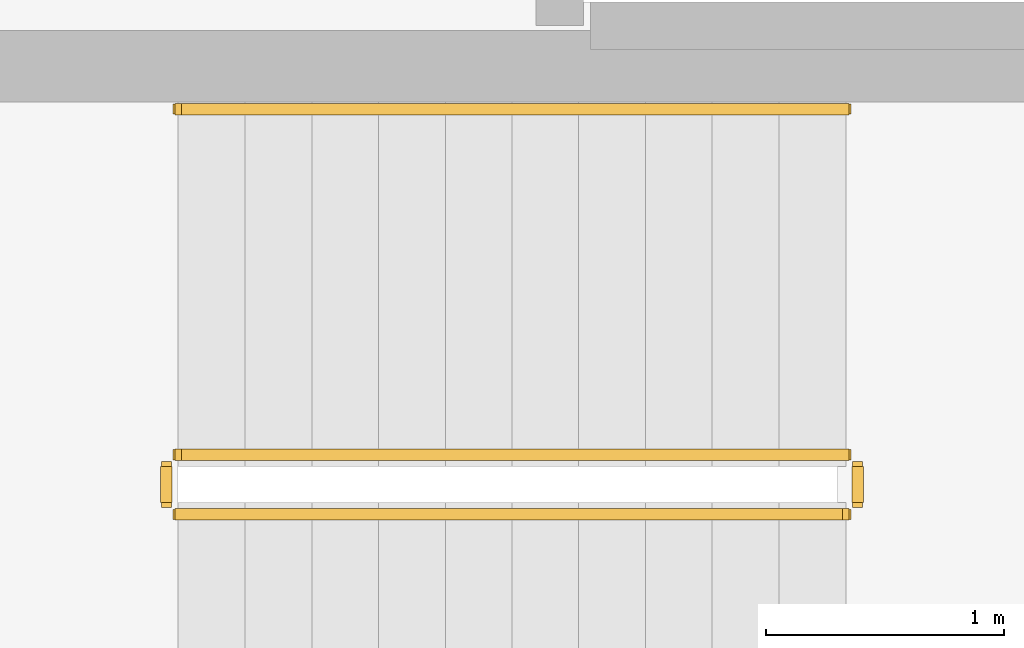
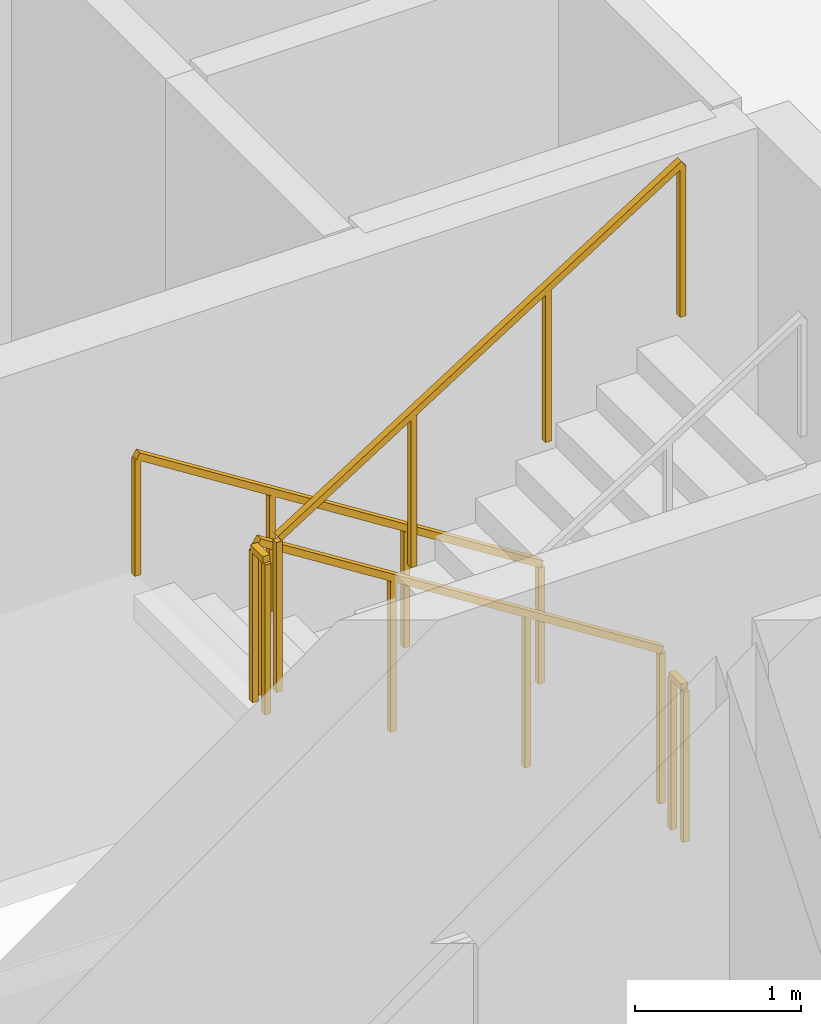
# One storey, part 9 of 11: 5 railings.
"""IFC4 building model written with IfcOpenShell, lengths in metres."""

from ifc_helpers import new_model, si_unit, direction, frame, origin, origin_2d, place, context, subcontext, project, spatial, rectangle, extrude, material, type_object, element, save


model = new_model("IFC4")

# Units and contexts
model_context = context("Model", 3, precision=1e-05, world=origin(), true_north=direction((0.0, 1.0)))
body_context = subcontext(model_context, "Body", "Model", "MODEL_VIEW")
ifc_project = project(units=[si_unit("LENGTHUNIT", "METRE"), si_unit("AREAUNIT", "SQUARE_METRE"), si_unit("VOLUMEUNIT", "CUBIC_METRE"), si_unit("PLANEANGLEUNIT", "RADIAN"), si_unit("MASSUNIT", "GRAM", prefix="KILO")], contexts=[model_context])

# Site, building, storey
site_placement = place(None, origin())
site = spatial("IfcSite", under=ifc_project, at=site_placement, CompositionType="ELEMENT")
building_placement = place(site_placement, origin())
building = spatial("IfcBuilding", under=site, at=building_placement, Name="Mawjaban Terraces University", CompositionType="ELEMENT")
storey_placement = place(building_placement, frame((0.0, 0.0, 103.39990234375)))
storey = spatial("IfcBuildingStorey", under=building, at=storey_placement, Name="L24", CompositionType="ELEMENT", Elevation=103.39990234375)

# Railings
ifc_material_1 = material(Name="Brushed stainless steel 316", Category="steel")
railing_type_1 = type_object("IfcRailingType", Name="StairWallHandrail_900", PredefinedType="HANDRAIL", material=ifc_material_1)
railing_1_placement = place(storey_placement, frame((30.050048828125, 18.800048828125, 0.177490234375)))
element("IfcRailing", 1, at=railing_1_placement, inside=storey, type_object=railing_type_1, Name="L24 ST-2 stair handrail 1", PredefinedType="HANDRAIL", context=body_context, shape_type="SweptSolid", body=[
    extrude(rectangle(XDim=0.048095703125, YDim=0.048095703125, at=origin_2d()), frame((0.0, 0.0, 0.8759765625), z_axis=(-0.844908973607, 0.0, 0.534910110503), x_axis=(0.0, -1.0, 0.0)), (0.0, 0.0, 1.0), 3.31396484375),
    extrude(rectangle(XDim=0.0419921875, YDim=0.0419921875, at=origin_2d()), origin(), (0.0, 0.0, 1.0), 0.851806640625),
    extrude(rectangle(XDim=0.0419921875, YDim=0.0419921875, at=origin_2d()), frame((-0.933349609375, 0.0, 0.5908203125)), (0.0, 0.0, 1.0), 0.851806640625),
    extrude(rectangle(XDim=0.0419921875, YDim=0.0419921875, at=origin_2d()), frame((-1.86669921875, 0.0, 1.181884765625)), (0.0, 0.0, 1.0), 0.851806640625),
    extrude(rectangle(XDim=0.0419921875, YDim=0.0419921875, at=origin_2d()), frame((-2.800048828125, 0.0, 1.772705078125)), (0.0, 0.0, 1.0), 0.851806640625),
])
ifc_material_2 = material(Name="Galvanised painted steel S355", Category="steel")
railing_type_2 = type_object("IfcRailingType", Name="StairWellGuard_1150", PredefinedType="BALUSTRADE", material=ifc_material_2)
railing_2_placement = place(storey_placement, frame((30.050048828125, 17.35009765625, 0.177490234375)))
element("IfcRailing", 2, at=railing_2_placement, inside=storey, type_object=railing_type_2, Name="L24 ST-2 stair guard 1", PredefinedType="BALUSTRADE", context=body_context, shape_type="SweptSolid", body=[
    extrude(rectangle(XDim=0.048095703125, YDim=0.048095703125, at=origin_2d()), frame((0.0, 0.0, 1.1259765625), z_axis=(-0.844908973607, 0.0, 0.534910110503), x_axis=(0.0, -1.0, 0.0)), (0.0, 0.0, 1.0), 3.31396484375),
    extrude(rectangle(XDim=0.0419921875, YDim=0.0419921875, at=origin_2d()), origin(), (0.0, 0.0, 1.0), 1.101806640625),
    extrude(rectangle(XDim=0.0419921875, YDim=0.0419921875, at=origin_2d()), frame((-0.933349609375, 0.0, 0.5908203125)), (0.0, 0.0, 1.0), 1.101806640625),
    extrude(rectangle(XDim=0.0419921875, YDim=0.0419921875, at=origin_2d()), frame((-1.86669921875, 0.0, 1.181884765625)), (0.0, 0.0, 1.0), 1.101806640625),
    extrude(rectangle(XDim=0.0419921875, YDim=0.0419921875, at=origin_2d()), frame((-2.800048828125, 0.0, 1.772705078125)), (0.0, 0.0, 1.0), 1.101806640625),
])
railing_3_placement = place(storey_placement, frame((27.199951171875, 17.300048828125, 1.9501953125)))
element("IfcRailing", 3, at=railing_3_placement, inside=storey, type_object=railing_type_2, Name="L24 ST-2 stair guard 2", PredefinedType="BALUSTRADE", context=body_context, shape_type="SweptSolid", body=[
    extrude(rectangle(XDim=0.048095703125, YDim=0.048095703125, at=origin_2d()), frame((0.0, 0.0, 1.1259765625), z_axis=(0.0, -1.0, 0.0), x_axis=(1.0, 0.0, 0.0)), (0.0, 0.0, 1.0), 0.150146484375),
    extrude(rectangle(XDim=0.0419921875, YDim=0.0419921875, at=origin_2d()), origin(), (0.0, 0.0, 1.0), 1.101806640625),
    extrude(rectangle(XDim=0.0419921875, YDim=0.0419921875, at=origin_2d()), frame((0.0, -0.150146484375, 0.0)), (0.0, 0.0, 1.0), 1.101806640625),
])
railing_4_placement = place(storey_placement, frame((27.25, 17.10009765625, 2.12744140625)))
element("IfcRailing", 4, at=railing_4_placement, inside=storey, type_object=railing_type_2, Name="L24 ST-2 stair guard 3", PredefinedType="BALUSTRADE", context=body_context, shape_type="SweptSolid", body=[
    extrude(rectangle(XDim=0.048095703125, YDim=0.048095703125, at=origin_2d()), frame((0.0, 0.0, 1.1259765625), z_axis=(0.844908973607, 0.0, 0.534910110503), x_axis=(0.0, 1.0, 0.0)), (0.0, 0.0, 1.0), 3.31396484375),
    extrude(rectangle(XDim=0.0419921875, YDim=0.0419921875, at=origin_2d()), origin(), (0.0, 0.0, 1.0), 1.101806640625),
    extrude(rectangle(XDim=0.0419921875, YDim=0.0419921875, at=origin_2d()), frame((0.933349609375, 0.0, 0.5908203125)), (0.0, 0.0, 1.0), 1.101806640625),
    extrude(rectangle(XDim=0.0419921875, YDim=0.0419921875, at=origin_2d()), frame((1.86669921875, 0.0, 1.181884765625)), (0.0, 0.0, 1.0), 1.101806640625),
    extrude(rectangle(XDim=0.0419921875, YDim=0.0419921875, at=origin_2d()), frame((2.800048828125, 0.0, 1.772705078125)), (0.0, 0.0, 1.0), 1.101806640625),
])
railing_5_placement = place(storey_placement, frame((30.10009765625, 17.300048828125, 0.0)))
element("IfcRailing", 5, at=railing_5_placement, inside=storey, type_object=railing_type_2, Name="L24 ST-2 stair guard 4", PredefinedType="BALUSTRADE", context=body_context, shape_type="SweptSolid", body=[
    extrude(rectangle(XDim=0.048095703125, YDim=0.048095703125, at=origin_2d()), frame((0.0, 0.0, 1.1259765625), z_axis=(0.0, -1.0, 0.0), x_axis=(1.0, 0.0, 0.0)), (0.0, 0.0, 1.0), 0.150146484375),
    extrude(rectangle(XDim=0.0419921875, YDim=0.0419921875, at=origin_2d()), origin(), (0.0, 0.0, 1.0), 1.101806640625),
    extrude(rectangle(XDim=0.0419921875, YDim=0.0419921875, at=origin_2d()), frame((0.0, -0.150146484375, 0.0)), (0.0, 0.0, 1.0), 1.101806640625),
])

save(model, "model.ifc")
